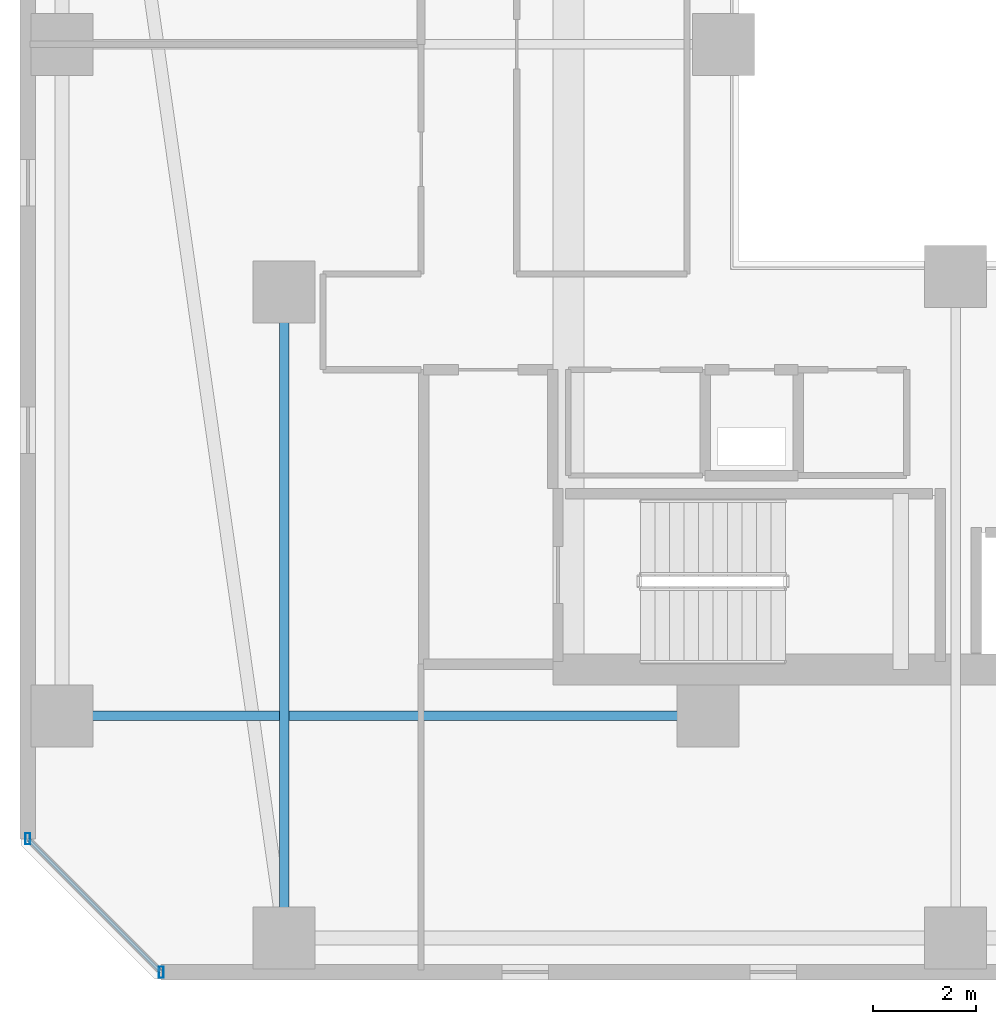
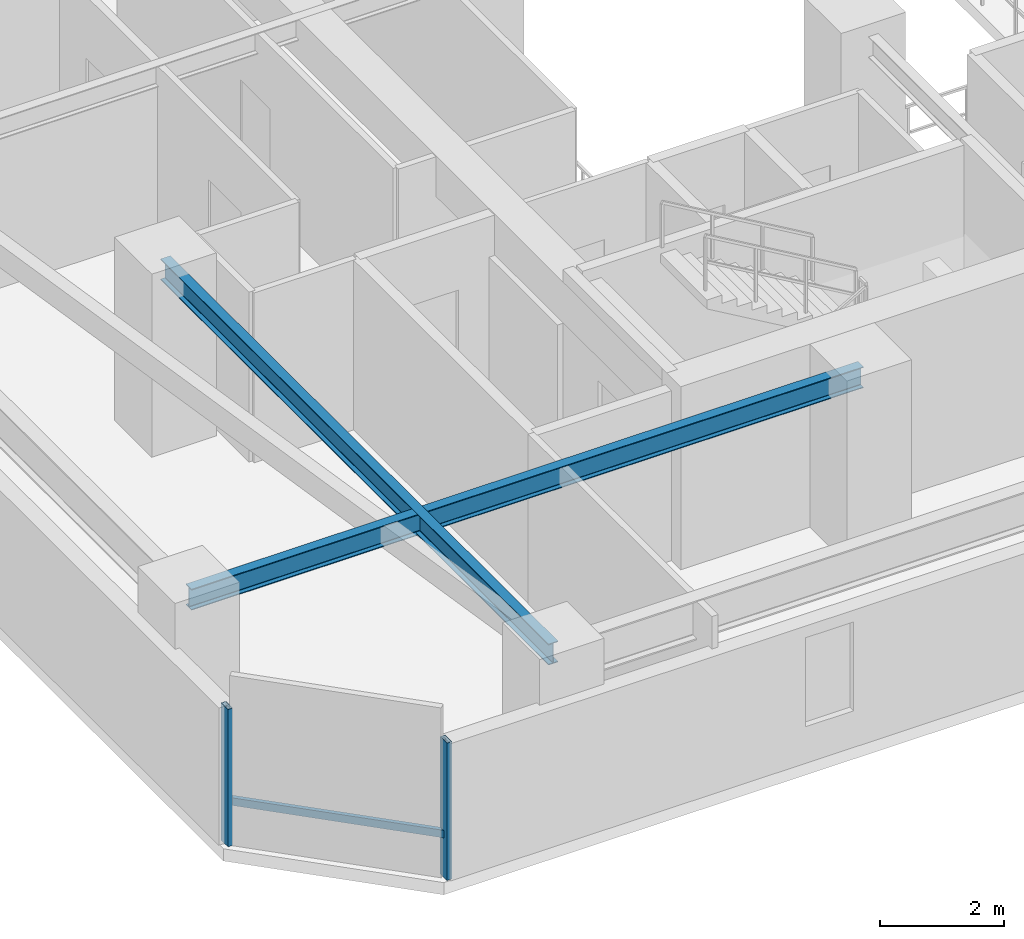
# One storey, part 3 of 31: 3 members, 2 beams, 1 element without a shape of its own.
"""IFC4 building model written with IfcOpenShell, lengths in metres."""

from ifc_helpers import new_model, si_unit, direction, frame, origin, origin_2d, place, context, subcontext, project, spatial, hollow_rectangle, i_section, extrude, material, material_profile, profile_set, type_object, element, aggregate, save


model = new_model("IFC4")

# Units and contexts
model_context = context("Model", 3, precision=1e-05, world=origin(), true_north=direction((0.0, 1.0)))
body_context = subcontext(model_context, "Body", "Model", "MODEL_VIEW")
ifc_project = project(units=[si_unit("LENGTHUNIT", "METRE"), si_unit("AREAUNIT", "SQUARE_METRE"), si_unit("VOLUMEUNIT", "CUBIC_METRE"), si_unit("PLANEANGLEUNIT", "RADIAN"), si_unit("MASSUNIT", "GRAM", prefix="KILO")], contexts=[model_context])

# Site, building, storey
site_placement = place(None, origin())
site = spatial("IfcSite", under=ifc_project, at=site_placement, CompositionType="ELEMENT")
building_placement = place(site_placement, origin())
building = spatial("IfcBuilding", under=site, at=building_placement, Name="Thornwick Lancets Civic Towers", CompositionType="ELEMENT")
storey_placement = place(building_placement, frame((0.0, 0.0, 87.300048828125)))
storey = spatial("IfcBuildingStorey", under=building, at=storey_placement, Name="L22", CompositionType="ELEMENT", Elevation=87.300048828125)

# Beams
ifc_material_1 = material(Name="Steel S355JR", Category="steel")
ifc_material_profile_1 = material_profile(ifc_material_1, i_section(OverallWidth=0.179443359375, OverallDepth=0.412841796875, WebThickness=0.009521484375, FlangeThickness=0.01611328125, FilletRadius=0.01025390625, at=origin_2d()), Name="UKB 406x178x74")
ifc_profile_set_1 = profile_set([ifc_material_profile_1], Name="Steel S355JR")
beam_type = type_object("IfcBeamType", Name="BM_JOIST_406_74", PredefinedType="JOIST", material=ifc_profile_set_1)
for number, where, z_axis, x_axis, name in (
    (1, (12.5, 22.199951171875, 3.153564453125), (0.0, -1.0, 0.0), (1.0, 0.0, 0.0), "BM-RADIN-L22-A01"),
    (2, (20.699951171875, 14.0, 3.153564453125), (-1.0, 0.0, 0.0), (0.0, -1.0, 0.0), "BM-RADIN-L22-A10"),
):
    element("IfcBeam", number, at=place(storey_placement, frame(where, z_axis=z_axis, x_axis=x_axis)), inside=storey, type_object=beam_type, Name=name, PredefinedType="JOIST", context=body_context, shape_type="SweptSolid", body=[
        extrude(i_section(OverallWidth=0.179443359375, OverallDepth=0.412841796875, WebThickness=0.009521484375, FlangeThickness=0.01611328125, FilletRadius=0.01025390625, at=origin_2d()), origin(), (0.0, 0.0, 1.0), 12.5),
    ])

# Curtain wall, members
ifc_material_2 = material(Name="Low-zone chamfered-corner unitised glass curtain wall", Category="glass")
curtain_wall_type = type_object("IfcCurtainWallType", Name="CW_SYS_03", PredefinedType="NOTDEFINED", material=ifc_material_2)
curtain_wall_placement = place(storey_placement, origin())
curtain_wall = element("IfcCurtainWall", 3, at=curtain_wall_placement, inside=storey, type_object=curtain_wall_type, Name="L22 Curtain Wall CW-L22-A-E7", PredefinedType="NOTDEFINED")
ifc_material_3 = material(Name="Thermally broken bronze aluminium S355", Category="steel")
ifc_material_profile_2 = material_profile(ifc_material_3, hollow_rectangle(XDim=0.090087890625, YDim=0.219970703125, WallThickness=0.00634765625, at=origin_2d()), Name="RHS 220x90x6.3")
ifc_profile_set_2 = profile_set([ifc_material_profile_2], Name="Thermally broken bronze aluminium S355")
member_type_1 = type_object("IfcMemberType", Name="CW_MUL_220", PredefinedType="MULLION", material=ifc_profile_set_2)
member_1_placement = place(storey_placement, frame((7.535400390625, 11.61865234375, 0.0), z_axis=(0.0, 0.0, 1.0), x_axis=(1.0, 0.0, 0.0)))
member_1 = element("IfcMember", 4, at=member_1_placement, type_object=member_type_1, Name="CW-L22-A-E7 Mullion 0", PredefinedType="MULLION", context=body_context, shape_type="SweptSolid", body=[
    extrude(hollow_rectangle(XDim=0.090087890625, YDim=0.219970703125, WallThickness=0.00634765625, at=origin_2d()), origin(), (0.0, 0.0, 1.0), 2.699951171875),
])
member_2_placement = place(storey_placement, frame((10.11865234375, 9.035400390625, 0.0), z_axis=(0.0, 0.0, 1.0), x_axis=(1.0, 0.0, 0.0)))
member_2 = element("IfcMember", 5, at=member_2_placement, type_object=member_type_1, Name="CW-L22-A-E7 Mullion 1", PredefinedType="MULLION", context=body_context, shape_type="SweptSolid", body=[
    extrude(hollow_rectangle(XDim=0.090087890625, YDim=0.219970703125, WallThickness=0.00634765625, at=origin_2d()), origin(), (0.0, 0.0, 1.0), 2.699951171875),
])
ifc_material_profile_3 = material_profile(ifc_material_3, hollow_rectangle(XDim=0.074951171875, YDim=0.14990234375, WallThickness=0.0048828125, at=origin_2d()), Name="RHS 150x75x5")
ifc_profile_set_3 = profile_set([ifc_material_profile_3], Name="Thermally broken bronze aluminium S355")
member_type_2 = type_object("IfcMemberType", Name="CW_TRN_150", PredefinedType="USERDEFINED", material=ifc_profile_set_3)
member_3_placement = place(storey_placement, frame((7.54931640625, 11.6044921875, 0.849853515625), z_axis=(0.707106781187, -0.707106781187, 0.0), x_axis=(0.707106781187, 0.707106781187, 0.0)))
member_3 = element("IfcMember", 6, at=member_3_placement, type_object=member_type_2, Name="CW-L22-A-E7 Transom 0", ObjectType="TRANSOM", PredefinedType="USERDEFINED", context=body_context, shape_type="SweptSolid", body=[
    extrude(hollow_rectangle(XDim=0.074951171875, YDim=0.14990234375, WallThickness=0.0048828125, at=origin_2d()), origin(), (0.0, 0.0, 1.0), 3.613525390625),
])
aggregate(curtain_wall, [member_1, member_2, member_3])

save(model, "model.ifc")
